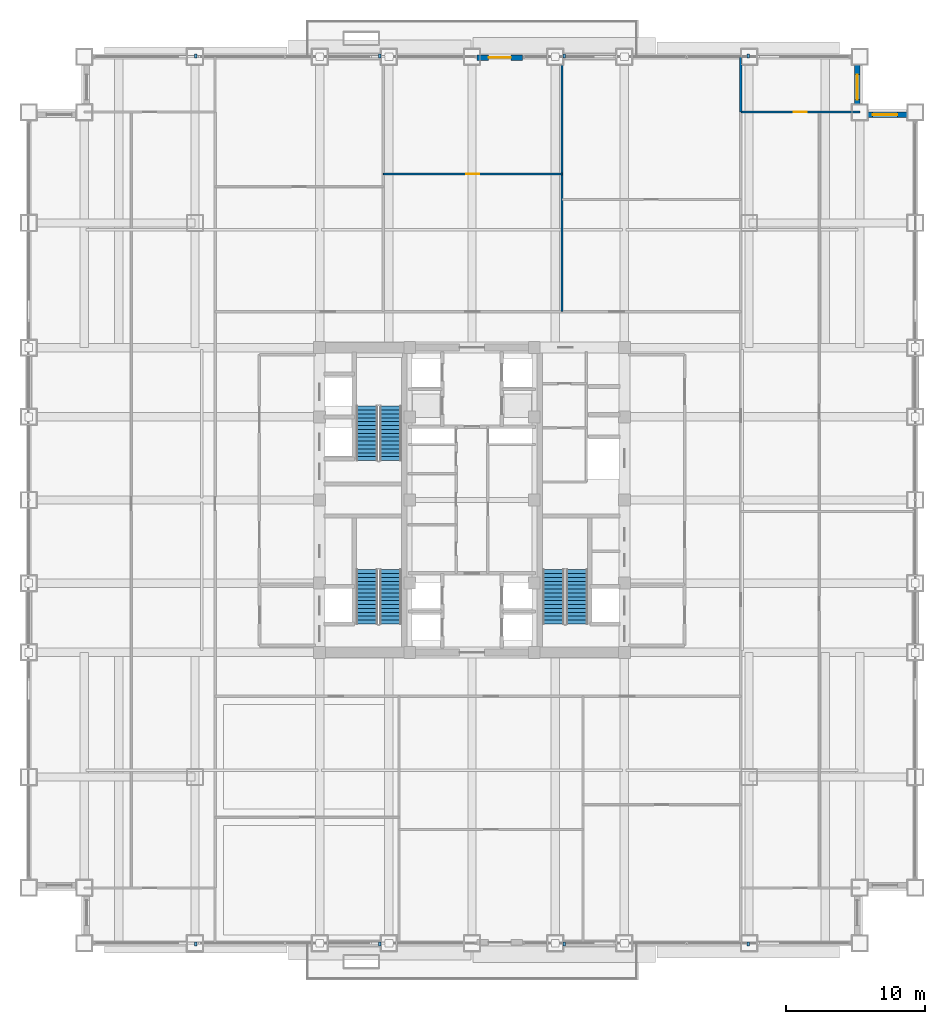
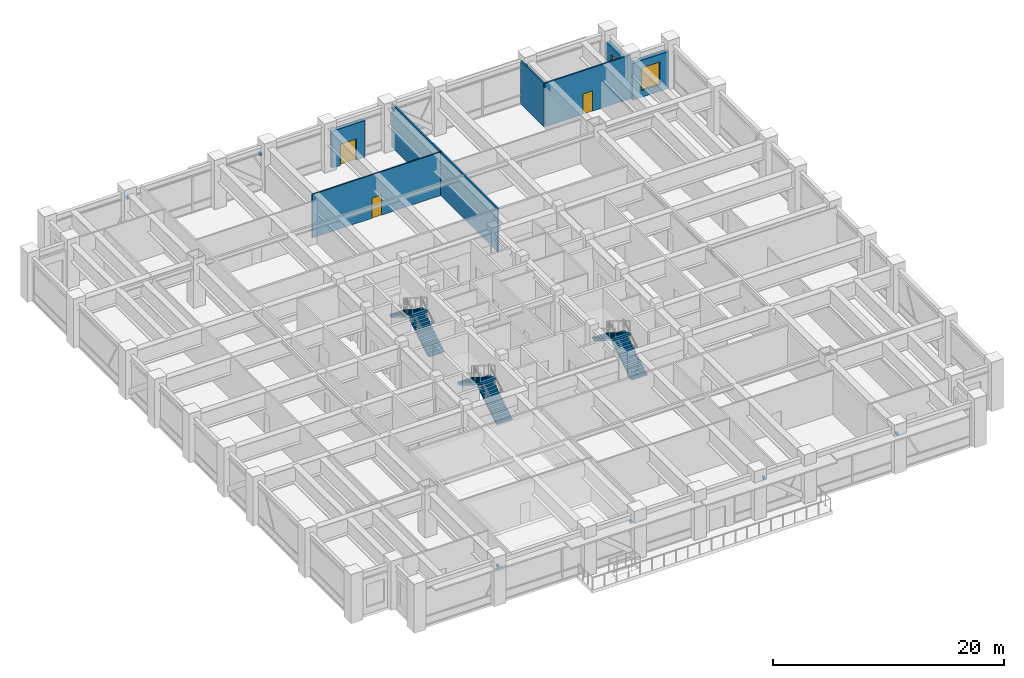
# One storey, part 28 of 34: 8 discrete accessories, 7 walls, 6 stair flights, 3 doors, 2 windows, 5 openings, 3 elements without a shape of their own.
"""IFC4 building model written with IfcOpenShell, lengths in metres."""

from ifc_helpers import new_model, si_unit, direction, frame, frame_2d, origin, origin_2d, place, context, subcontext, project, spatial, polyline, rectangle, outline, extrude, source, transform, mapped, material, layer, layer_set, type_object, element, fill, aggregate, save


model = new_model("IFC4")

# Units and contexts
model_context = context("Model", 3, precision=1e-05, world=origin(), true_north=direction((0.0, 1.0)))
body_context = subcontext(model_context, "Body", "Model", "MODEL_VIEW")
ifc_project = project(units=[si_unit("LENGTHUNIT", "METRE"), si_unit("AREAUNIT", "SQUARE_METRE"), si_unit("VOLUMEUNIT", "CUBIC_METRE"), si_unit("PLANEANGLEUNIT", "RADIAN"), si_unit("MASSUNIT", "GRAM", prefix="KILO")], contexts=[model_context])

# Site, building, storey
site_placement = place(None, origin())
site = spatial("IfcSite", under=ifc_project, at=site_placement, CompositionType="ELEMENT")
building_placement = place(site_placement, origin())
building = spatial("IfcBuilding", under=site, at=building_placement, Name="Khorayat Bourse Tower", CompositionType="ELEMENT")
storey_placement = place(building_placement, frame((0.0, 0.0, 144.699951171875)))
storey = spatial("IfcBuildingStorey", under=building, at=storey_placement, Name="L33", CompositionType="ELEMENT", Elevation=144.699951171875)

# Wall, opening, window
ifc_material_1 = material(Name="Precast concrete C45/55", Category="concrete")
ifc_layer_1 = layer(ifc_material_1, 0.3798828125)
ifc_layer_set_1 = layer_set([ifc_layer_1], Name="Precast concrete C45/55")
wall_type_1 = type_object("IfcWallType", Name="WAL-EXT-STONE-380", PredefinedType="STANDARD", material=ifc_layer_set_1)
shared_shape_1 = source(origin(), body_context, "Body", "SweptSolid", [
    extrude(rectangle(XDim=3.6201171875, YDim=0.3798828125, at=frame_2d((1.81005859375, 0.0))), origin(), (0.0, 0.0, 1.0), 3.905029296875),
])
wall_1_placement = place(storey_placement, frame((28.0, 27.81005859375, 0.0), z_axis=(0.0, 0.0, 1.0), x_axis=(1.0, 0.0, 0.0)))
wall_1 = element("IfcWall", 1, at=wall_1_placement, inside=storey, type_object=wall_type_1, Name="L33 Re-Entrant Notch Limestone Wall NE-H", PredefinedType="STANDARD", context=body_context, shape_type="MappedRepresentation", body=[
    mapped(shared_shape_1, transform((0.0, 0.0, 0.0), scale=1.0)),
])
shared_shape_2 = source(origin(), body_context, "Body", "SweptSolid", [
    extrude(rectangle(XDim=1.800048828125, YDim=2.39990234375, at=frame_2d((0.89990234375, 1.199951171875))), frame((0.0, 0.199951171875, 0.0), z_axis=(0.0, -1.0, 0.0), x_axis=(1.0, 0.0, 0.0)), (0.0, 0.0, 1.0), 0.39990234375),
])
opening_1_placement = place(wall_1_placement, frame((0.909912109375, 0.0, 0.699951171875)))
opening_1 = element("IfcOpeningElement", 2, at=opening_1_placement, cuts=wall_1, Name="Opening WN-04", PredefinedType="OPENING", context=body_context, shape_type="MappedRepresentation", body=[
    mapped(shared_shape_2, transform((0.0, 0.0, 0.0), scale=1.0)),
])
ifc_material_2 = material(Name="Low-E acoustic laminated double glazing", Category="glass")
window_type = type_object("IfcWindowType", Name="WIN-NOTCH-1800x2400", PartitioningType="SINGLE_PANEL", PredefinedType="WINDOW", material=ifc_material_2)
shared_shape_3 = source(origin(), body_context, "Body", "SweptSolid", [
    extrude(rectangle(XDim=1.800048828125, YDim=2.39990234375, at=frame_2d((0.89990234375, 1.199951171875))), frame((0.0, 0.030029296875, 0.0), z_axis=(0.0, -1.0, 0.0), x_axis=(1.0, 0.0, 0.0)), (0.0, 0.0, 1.0), 0.06005859375),
])
window_1_placement = place(opening_1_placement, origin())
window_1 = element("IfcWindow", 3, at=window_1_placement, inside=storey, type_object=window_type, Name="L33 Facade Window 1", OverallHeight=2.39990234375, OverallWidth=1.800048828125, PartitioningType="SINGLE_PANEL", PredefinedType="WINDOW", context=body_context, shape_type="MappedRepresentation", body=[
    mapped(shared_shape_3, transform((0.0, 0.0, 0.0), scale=1.0)),
])
fill(opening_1, window_1)

wall_2_placement = place(storey_placement, frame((27.81005859375, 28.0, 0.0), z_axis=(0.0, 0.0, 1.0), x_axis=(0.0, 1.0, 0.0)))
wall_2 = element("IfcWall", 4, at=wall_2_placement, inside=storey, type_object=wall_type_1, Name="L33 Re-Entrant Notch Limestone Wall NE-V", PredefinedType="STANDARD", context=body_context, shape_type="MappedRepresentation", body=[
    mapped(shared_shape_1, transform((0.0, 0.0, 0.0), scale=1.0)),
])
opening_2_placement = place(wall_2_placement, frame((0.909912109375, 0.0, 0.699951171875)))
opening_2 = element("IfcOpeningElement", 5, at=opening_2_placement, cuts=wall_2, Name="Opening WN-04", PredefinedType="OPENING", context=body_context, shape_type="MappedRepresentation", body=[
    mapped(shared_shape_2, transform((0.0, 0.0, 0.0), scale=1.0)),
])
window_2_placement = place(opening_2_placement, origin())
window_2 = element("IfcWindow", 6, at=window_2_placement, inside=storey, type_object=window_type, Name="L33 Facade Window 1", OverallHeight=2.39990234375, OverallWidth=1.800048828125, PartitioningType="SINGLE_PANEL", PredefinedType="WINDOW", context=body_context, shape_type="MappedRepresentation", body=[
    mapped(shared_shape_3, transform((0.0, 0.0, 0.0), scale=1.0)),
])
fill(opening_2, window_2)

# Wall, opening, door
shared_shape_4 = source(origin(), body_context, "Body", "SweptSolid", [
    extrude(rectangle(XDim=3.2998046875, YDim=0.3798828125, at=frame_2d((1.64990234375, 0.0))), origin(), (0.0, 0.0, 1.0), 3.905029296875),
])
wall_3_placement = place(storey_placement, frame((0.35009765625, 31.93310546875, 0.0), z_axis=(0.0, 0.0, 1.0), x_axis=(1.0, 0.0, 0.0)))
wall_3 = element("IfcWall", 7, at=wall_3_placement, inside=storey, type_object=wall_type_1, Name="L33 Exterior Limestone Wall WAL-L33-TDPORT-N1", PredefinedType="STANDARD", context=body_context, shape_type="MappedRepresentation", body=[
    mapped(shared_shape_4, transform((0.0, 0.0, 0.0), scale=1.0)),
])
shared_shape_5 = source(origin(), body_context, "Body", "SweptSolid", [
    extrude(rectangle(XDim=1.60009765625, YDim=2.25, at=frame_2d((0.800048828125, 1.125))), frame((0.0, 0.199951171875, 0.0), z_axis=(0.0, -1.0, 0.0), x_axis=(1.0, 0.0, 0.0)), (0.0, 0.0, 1.0), 0.39990234375),
])
opening_3_placement = place(wall_3_placement, frame((0.85009765625, 0.0, 0.0)))
opening_3 = element("IfcOpeningElement", 8, at=opening_3_placement, cuts=wall_3, Name="Opening DE-04", PredefinedType="OPENING", context=body_context, shape_type="MappedRepresentation", body=[
    mapped(shared_shape_5, transform((0.0, 0.0, 0.0), scale=1.0)),
])
ifc_material_3 = material(Name="Thermally broken aluminium terrace double door", Category="aluminium")
door_type_1 = type_object("IfcDoorType", Name="DR-EXT-TERR-1600", OperationType="NOTDEFINED", PredefinedType="DOOR", material=ifc_material_3)
shared_shape_6 = source(origin(), body_context, "Body", "SweptSolid", [
    extrude(rectangle(XDim=1.60009765625, YDim=2.25, at=frame_2d((0.800048828125, 1.125))), frame((0.0, 0.02490234375, 0.0), z_axis=(0.0, -1.0, 0.0), x_axis=(1.0, 0.0, 0.0)), (0.0, 0.0, 1.0), 0.050048828125),
])
door_1_placement = place(opening_3_placement, origin())
door_1 = element("IfcDoor", 9, at=door_1_placement, inside=storey, type_object=door_type_1, Name="L33 North Sky Garden Door", OperationType="DOUBLE_DOOR_SINGLE_SWING", OverallHeight=2.25, OverallWidth=1.60009765625, PredefinedType="DOOR", context=body_context, shape_type="MappedRepresentation", body=[
    mapped(shared_shape_6, transform((0.0, 0.0, 0.0), scale=1.0)),
])
fill(opening_3, door_1)

ifc_material_4 = material(Name="Gypsum plasterboard partition")
ifc_layer_2 = layer(ifc_material_4, 0.125)
ifc_layer_set_2 = layer_set([ifc_layer_2], Name="Gypsum plasterboard partition")
wall_type_2 = type_object("IfcWallType", Name="WAL-PART-ROOM-125", PredefinedType="PARTITIONING", material=ifc_layer_set_2)
shared_shape_7 = source(origin(), body_context, "Body", "SweptSolid", [
    extrude(rectangle(XDim=12.903076171875, YDim=0.125, at=frame_2d((6.45166015625, 0.0))), origin(), (0.0, 0.0, 1.0), 4.60009765625),
])
wall_4_placement = place(storey_placement, frame((-6.406005859375, 23.535888671875, 0.0), z_axis=(0.0, 0.0, 1.0), x_axis=(1.0, 0.0, 0.0)))
wall_4 = element("IfcWall", 10, at=wall_4_placement, inside=storey, type_object=wall_type_2, Name="L33 Partition WAL-L33-NDP-2", PredefinedType="PARTITIONING", context=body_context, shape_type="MappedRepresentation", body=[
    mapped(shared_shape_7, transform((0.0, 0.0, 0.0), scale=1.0)),
])
shared_shape_8 = source(origin(), body_context, "Body", "SweptSolid", [
    extrude(rectangle(XDim=0.949951171875, YDim=2.14990234375, at=frame_2d((0.47509765625, 1.074951171875))), frame((0.0, 0.072509765625, 0.0), z_axis=(0.0, -1.0, 0.0), x_axis=(1.0, 0.0, 0.0)), (0.0, 0.0, 1.0), 0.14501953125),
])
opening_4_placement = place(wall_4_placement, frame((5.9765625, 0.0, 0.0)))
opening_4 = element("IfcOpeningElement", 11, at=opening_4_placement, cuts=wall_4, Name="Opening DI-05", PredefinedType="OPENING", context=body_context, shape_type="MappedRepresentation", body=[
    mapped(shared_shape_8, transform((0.0, 0.0, 0.0), scale=1.0)),
])
ifc_material_5 = material(Name="Acoustic oak veneer office door")
door_type_2 = type_object("IfcDoorType", Name="DR-INT-OFFICE-950", OperationType="NOTDEFINED", PredefinedType="DOOR", material=ifc_material_5)
shared_shape_9 = source(origin(), body_context, "Body", "SweptSolid", [
    extrude(rectangle(XDim=0.949951171875, YDim=2.14990234375, at=frame_2d((0.47509765625, 1.074951171875))), frame((0.0, 0.02490234375, 0.0), z_axis=(0.0, -1.0, 0.0), x_axis=(1.0, 0.0, 0.0)), (0.0, 0.0, 1.0), 0.050048828125),
])
door_2_placement = place(opening_4_placement, origin())
door_2 = element("IfcDoor", 12, at=door_2_placement, inside=storey, type_object=door_type_2, Name="L33 Clearing Records Archive Store N2B Door", OperationType="SINGLE_SWING_LEFT", OverallHeight=2.14990234375, OverallWidth=0.949951171875, PredefinedType="DOOR", context=body_context, shape_type="MappedRepresentation", body=[
    mapped(shared_shape_9, transform((0.0, 0.0, 0.0), scale=1.0)),
])
fill(opening_4, door_2)

# Walls
ifc_material_6 = material(Name="Gypsum plasterboard twin-frame partition")
ifc_layer_3 = layer(ifc_material_6, 0.14990234375)
ifc_layer_set_3 = layer_set([ifc_layer_3], Name="Gypsum plasterboard twin-frame partition")
wall_type_3 = type_object("IfcWallType", Name="WAL-PART-SUITE-150", PredefinedType="PARTITIONING", material=ifc_layer_set_3)
shared_shape_10 = source(origin(), body_context, "Body", "SweptSolid", [
    extrude(rectangle(XDim=18.39990234375, YDim=0.14990234375, at=frame_2d((9.199951171875, 0.0))), origin(), (0.0, 0.0, 1.0), 4.60009765625),
])
wall_5_placement = place(storey_placement, frame((6.4970703125, 13.60009765625, 0.0), z_axis=(0.0, 0.0, 1.0), x_axis=(0.0, 1.0, 0.0)))
element("IfcWall", 13, at=wall_5_placement, inside=storey, type_object=wall_type_3, Name="L33 Partition WAL-L33-NDV-2", PredefinedType="PARTITIONING", context=body_context, shape_type="MappedRepresentation", body=[
    mapped(shared_shape_10, transform((0.0, 0.0, 0.0), scale=1.0)),
])
shared_shape_11 = source(origin(), body_context, "Body", "SweptSolid", [
    extrude(rectangle(XDim=4.0, YDim=0.14990234375, at=frame_2d((2.0, 0.0))), origin(), (0.0, 0.0, 1.0), 4.60009765625),
])
wall_6_placement = place(storey_placement, frame((19.39990234375, 28.0, 0.0), z_axis=(0.0, 0.0, 1.0), x_axis=(0.0, 1.0, 0.0)))
element("IfcWall", 14, at=wall_6_placement, inside=storey, type_object=wall_type_3, Name="L33 Partition WAL-L33-NCE-END", PredefinedType="PARTITIONING", context=body_context, shape_type="MappedRepresentation", body=[
    mapped(shared_shape_11, transform((0.0, 0.0, 0.0), scale=1.0)),
])

# Wall, opening, door
shared_shape_12 = source(origin(), body_context, "Body", "SweptSolid", [
    extrude(rectangle(XDim=8.60009765625, YDim=0.14990234375, at=frame_2d((4.300048828125, 0.0))), origin(), (0.0, 0.0, 1.0), 4.60009765625),
])
wall_7_placement = place(storey_placement, frame((19.39990234375, 28.0, 0.0), z_axis=(0.0, 0.0, 1.0), x_axis=(1.0, 0.0, 0.0)))
wall_7 = element("IfcWall", 15, at=wall_7_placement, inside=storey, type_object=wall_type_3, Name="L33 Partition WAL-L33-CNE", PredefinedType="PARTITIONING", context=body_context, shape_type="MappedRepresentation", body=[
    mapped(shared_shape_12, transform((0.0, 0.0, 0.0), scale=1.0)),
])
shared_shape_13 = source(origin(), body_context, "Body", "SweptSolid", [
    extrude(rectangle(XDim=0.949951171875, YDim=2.14990234375, at=frame_2d((0.47509765625, 1.074951171875))), frame((0.0, 0.0849609375, 0.0), z_axis=(0.0, -1.0, 0.0), x_axis=(1.0, 0.0, 0.0)), (0.0, 0.0, 1.0), 0.169921875),
])
opening_5_placement = place(wall_7_placement, frame((3.824951171875, 0.0, 0.0)))
opening_5 = element("IfcOpeningElement", 16, at=opening_5_placement, cuts=wall_7, Name="Opening DI-05", PredefinedType="OPENING", context=body_context, shape_type="MappedRepresentation", body=[
    mapped(shared_shape_13, transform((0.0, 0.0, 0.0), scale=1.0)),
])
door_3_placement = place(opening_5_placement, origin())
door_3 = element("IfcDoor", 17, at=door_3_placement, inside=storey, type_object=door_type_2, Name="L33 North-East Corner Lounge Door", OperationType="SINGLE_SWING_LEFT", OverallHeight=2.14990234375, OverallWidth=0.949951171875, PredefinedType="DOOR", context=body_context, shape_type="MappedRepresentation", body=[
    mapped(shared_shape_9, transform((0.0, 0.0, 0.0), scale=1.0)),
])
fill(opening_5, door_3)

# Stair, stair flights
ifc_material_7 = material(Name="Concrete C40/50", Category="concrete")
stair_type = type_object("IfcStairType", Name="STR-CORE-1550", PredefinedType="HALF_TURN_STAIR", material=ifc_material_7)
stair_1_placement = place(storey_placement, origin())
stair_1 = element("IfcStair", 18, at=stair_1_placement, inside=storey, type_object=stair_type, Name="L33 Exit Stair ST-1", PredefinedType="HALF_TURN_STAIR")
stair_flight_type = type_object("IfcStairFlightType", Name="FLT-CORE-1550", PredefinedType="STRAIGHT", material=ifc_material_7)
shared_shape_14 = source(origin(), body_context, "Body", "SweptSolid", [
    extrude(outline(polyline([(0.0, 0.0), (0.0, 0.17333984375), (0.280029296875, 0.17333984375), (0.280029296875, 0.3466796875), (0.56005859375, 0.3466796875), (0.56005859375, 0.52001953125), (0.840087890625, 0.52001953125), (0.840087890625, 0.693359375), (1.1201171875, 0.693359375), (1.1201171875, 0.86669921875), (1.39990234375, 0.86669921875), (1.39990234375, 1.0400390625), (1.679931640625, 1.0400390625), (1.679931640625, 1.21337890625), (1.9599609375, 1.21337890625), (1.9599609375, 1.38671875), (2.239990234375, 1.38671875), (2.239990234375, 1.56005859375), (2.52001953125, 1.56005859375), (2.52001953125, 1.7333984375), (2.800048828125, 1.7333984375), (2.800048828125, 1.90673828125), (3.080078125, 1.90673828125), (3.080078125, 2.080078125), (3.360107421875, 2.080078125), (3.360107421875, 2.25341796875), (3.639892578125, 2.25341796875), (3.639892578125, 2.4267578125), (3.919921875, 2.4267578125), (3.919921875, 2.60009765625), (3.919921875, 2.215087890625), (0.341796875, 0.0), (0.0, 0.0)])), frame((0.0, 0.77490234375, 0.0), z_axis=(0.0, -1.0, 0.0), x_axis=(1.0, 0.0, 0.0)), (0.0, 0.0, 1.0), 1.550048828125),
])
stair_flight_1_placement = place(storey_placement, frame((-5.875, -8.949951171875, 0.0), z_axis=(0.0, 0.0, 1.0), x_axis=(0.0, 1.0, 0.0)))
stair_flight_1 = element("IfcStairFlight", 19, at=stair_flight_1_placement, type_object=stair_flight_type, Name="ST-1 flight 1", NumberOfRisers=15, NumberOfTreads=14, PredefinedType="STRAIGHT", RiserHeight=0.173333333, TreadLength=0.28, context=body_context, shape_type="MappedRepresentation", body=[
    mapped(shared_shape_14, transform((0.0, 0.0, 0.0), scale=1.0)),
])
stair_flight_2_placement = place(storey_placement, frame((-7.574951171875, -5.030029296875, 2.60009765625), z_axis=(0.0, 0.0, 1.0), x_axis=(0.0, -1.0, 0.0)))
stair_flight_2 = element("IfcStairFlight", 20, at=stair_flight_2_placement, type_object=stair_flight_type, Name="ST-1 flight 2", NumberOfRisers=15, NumberOfTreads=14, PredefinedType="STRAIGHT", RiserHeight=0.173333333, TreadLength=0.28, context=body_context, shape_type="MappedRepresentation", body=[
    mapped(shared_shape_14, transform((0.0, 0.0, 0.0), scale=1.0)),
])
aggregate(stair_1, [stair_flight_1, stair_flight_2])

stair_2_placement = place(storey_placement, origin())
stair_2 = element("IfcStair", 21, at=stair_2_placement, inside=storey, type_object=stair_type, Name="L33 Exit Stair ST-2", PredefinedType="HALF_TURN_STAIR")
stair_flight_3_placement = place(storey_placement, frame((-5.875, 2.85009765625, 0.0), z_axis=(0.0, 0.0, 1.0), x_axis=(0.0, 1.0, 0.0)))
stair_flight_3 = element("IfcStairFlight", 22, at=stair_flight_3_placement, type_object=stair_flight_type, Name="ST-2 flight 1", NumberOfRisers=15, NumberOfTreads=14, PredefinedType="STRAIGHT", RiserHeight=0.173333333, TreadLength=0.28, context=body_context, shape_type="MappedRepresentation", body=[
    mapped(shared_shape_14, transform((0.0, 0.0, 0.0), scale=1.0)),
])
stair_flight_4_placement = place(storey_placement, frame((-7.574951171875, 6.77001953125, 2.60009765625), z_axis=(0.0, 0.0, 1.0), x_axis=(0.0, -1.0, 0.0)))
stair_flight_4 = element("IfcStairFlight", 23, at=stair_flight_4_placement, type_object=stair_flight_type, Name="ST-2 flight 2", NumberOfRisers=15, NumberOfTreads=14, PredefinedType="STRAIGHT", RiserHeight=0.173333333, TreadLength=0.28, context=body_context, shape_type="MappedRepresentation", body=[
    mapped(shared_shape_14, transform((0.0, 0.0, 0.0), scale=1.0)),
])
aggregate(stair_2, [stair_flight_3, stair_flight_4])

stair_3_placement = place(storey_placement, origin())
stair_3 = element("IfcStair", 24, at=stair_3_placement, inside=storey, type_object=stair_type, Name="L33 Exit Stair ST-3", PredefinedType="HALF_TURN_STAIR")
stair_flight_5_placement = place(storey_placement, frame((7.574951171875, -8.949951171875, 0.0), z_axis=(0.0, 0.0, 1.0), x_axis=(0.0, 1.0, 0.0)))
stair_flight_5 = element("IfcStairFlight", 25, at=stair_flight_5_placement, type_object=stair_flight_type, Name="ST-3 flight 1", NumberOfRisers=15, NumberOfTreads=14, PredefinedType="STRAIGHT", RiserHeight=0.173333333, TreadLength=0.28, context=body_context, shape_type="MappedRepresentation", body=[
    mapped(shared_shape_14, transform((0.0, 0.0, 0.0), scale=1.0)),
])
stair_flight_6_placement = place(storey_placement, frame((5.875, -5.030029296875, 2.60009765625), z_axis=(0.0, 0.0, 1.0), x_axis=(0.0, -1.0, 0.0)))
stair_flight_6 = element("IfcStairFlight", 26, at=stair_flight_6_placement, type_object=stair_flight_type, Name="ST-3 flight 2", NumberOfRisers=15, NumberOfTreads=14, PredefinedType="STRAIGHT", RiserHeight=0.173333333, TreadLength=0.28, context=body_context, shape_type="MappedRepresentation", body=[
    mapped(shared_shape_14, transform((0.0, 0.0, 0.0), scale=1.0)),
])
aggregate(stair_3, [stair_flight_5, stair_flight_6])

# Discrete accessories
ifc_material_8 = material(Name="Steel EN 10025-2 S355J2", Category="steel")
discrete_accessory_type = type_object("IfcDiscreteAccessoryType", Name="ACC-SHADE-BRACKET", PredefinedType="BRACKET", material=ifc_material_8)
shared_shape_15 = source(origin(), body_context, "Body", "SweptSolid", [
    extrude(rectangle(XDim=0.179931640625, YDim=0.300048828125, at=origin_2d()), origin(), (0.0, 0.0, 1.0), 0.239990234375),
])
for number, where, z_axis, x_axis, name in (
    (27, (-19.949951171875, -32.06005859375, 3.7001953125), (0.0, 0.0, 1.0), (1.0, 0.0, 0.0), "L33 Sunshade Support Bracket S-1"),
    (28, (-6.64990234375, -32.06005859375, 3.7001953125), (0.0, 0.0, 1.0), (1.0, 0.0, 0.0), "L33 Sunshade Support Bracket S-2"),
    (29, (6.64990234375, -32.06005859375, 3.7001953125), (0.0, 0.0, 1.0), (1.0, 0.0, 0.0), "L33 Sunshade Support Bracket S-3"),
    (30, (19.949951171875, -32.06005859375, 3.7001953125), (0.0, 0.0, 1.0), (1.0, 0.0, 0.0), "L33 Sunshade Support Bracket S-4"),
    (31, (-19.949951171875, 32.06005859375, 3.7001953125), (0.0, 0.0, 1.0), (1.0, 0.0, 0.0), "L33 Sunshade Support Bracket N-1"),
    (32, (-6.64990234375, 32.06005859375, 3.7001953125), (0.0, 0.0, 1.0), (1.0, 0.0, 0.0), "L33 Sunshade Support Bracket N-2"),
    (33, (6.64990234375, 32.06005859375, 3.7001953125), (0.0, 0.0, 1.0), (1.0, 0.0, 0.0), "L33 Sunshade Support Bracket N-3"),
    (34, (19.949951171875, 32.06005859375, 3.7001953125), (0.0, 0.0, 1.0), (1.0, 0.0, 0.0), "L33 Sunshade Support Bracket N-4"),
):
    element("IfcDiscreteAccessory", number, at=place(storey_placement, frame(where, z_axis=z_axis, x_axis=x_axis)), inside=storey, type_object=discrete_accessory_type, Name=name, PredefinedType="BRACKET", context=body_context, shape_type="MappedRepresentation", body=[
        mapped(shared_shape_15, transform((0.0, 0.0, 0.0), scale=1.0)),
    ])

save(model, "model.ifc")
